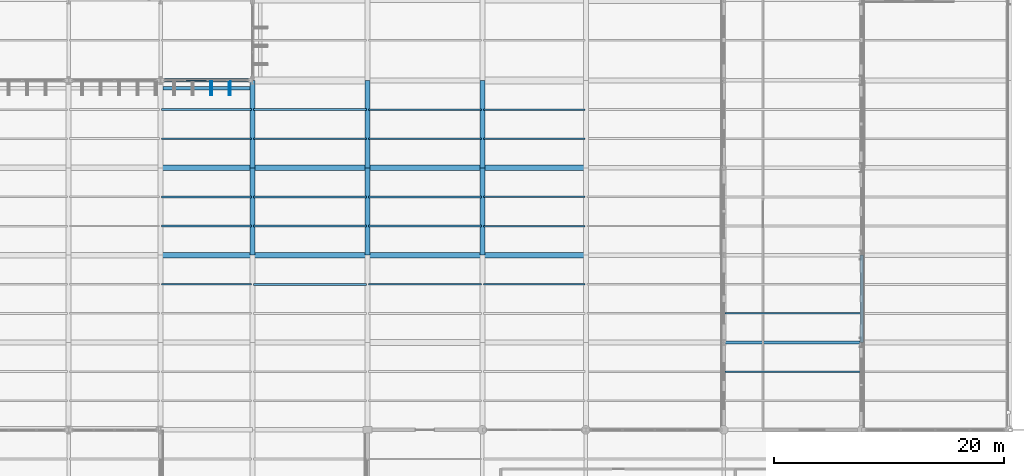
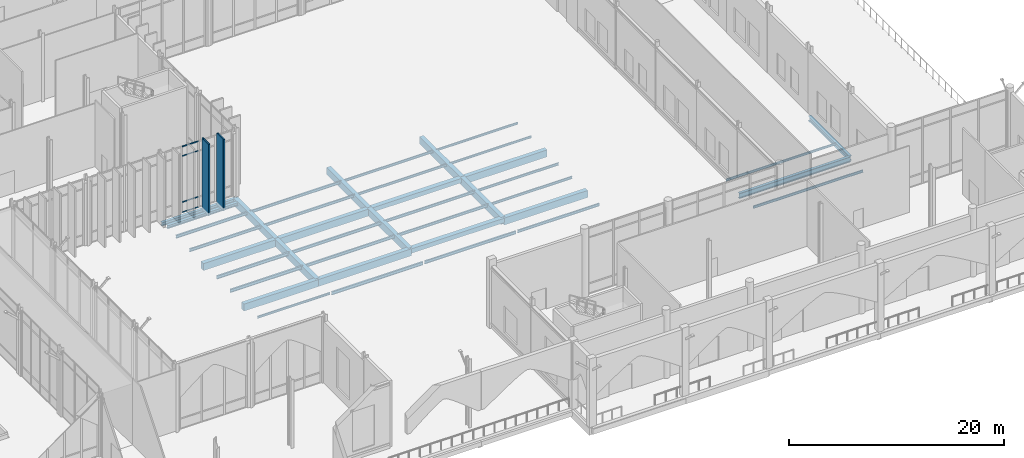
# One storey, part 86 of 176: 40 beams, 6 members, 1 element without a shape of its own.
"""IFC4 building model written with IfcOpenShell, lengths in metres."""

from ifc_helpers import new_model, si_unit, direction, frame, origin, origin_2d, place, context, subcontext, project, spatial, rectangle, hollow_rectangle, i_section, extrude, material, layer, layer_set, material_profile, profile_set, type_object, element, aggregate, save


model = new_model("IFC4")

# Units and contexts
model_context = context("Model", 3, precision=1e-05, world=origin(), true_north=direction((0.0, 1.0)))
body_context = subcontext(model_context, "Body", "Model", "MODEL_VIEW")
ifc_project = project(units=[si_unit("LENGTHUNIT", "METRE"), si_unit("AREAUNIT", "SQUARE_METRE"), si_unit("VOLUMEUNIT", "CUBIC_METRE"), si_unit("PLANEANGLEUNIT", "RADIAN"), si_unit("MASSUNIT", "GRAM", prefix="KILO")], contexts=[model_context])

# Site, building, storey
site_placement = place(None, origin())
site = spatial("IfcSite", under=ifc_project, at=site_placement, CompositionType="ELEMENT")
building_placement = place(site_placement, origin())
building = spatial("IfcBuilding", under=site, at=building_placement, Name="Vekula Escarpment Museum", CompositionType="ELEMENT")
storey_placement = place(building_placement, origin())
storey = spatial("IfcBuildingStorey", under=building, at=storey_placement, Name="L01", CompositionType="ELEMENT", Elevation=0.0)

# Beams
ifc_material_1 = material(Name="Steel S355", Category="steel")
ifc_material_profile_1 = material_profile(ifc_material_1, i_section(OverallWidth=0.300048828125, OverallDepth=0.360107421875, WebThickness=0.012451171875, FlangeThickness=0.0224609375, FilletRadius=0.027099609375, at=origin_2d()), Name="HEB 360")
ifc_profile_set_1 = profile_set([ifc_material_profile_1], Name="Steel S355")
beam_type_1 = type_object("IfcBeamType", Name="BM-GIRD-HEB360", PredefinedType="BEAM", material=ifc_profile_set_1)
beam_1_placement = place(storey_placement, frame((118.22509765625, 44.919921875, -0.47998046875), z_axis=(1.0, 0.0, 0.0), x_axis=(0.0, 1.0, 0.0)))
element("IfcBeam", 1, at=beam_1_placement, inside=storey, type_object=beam_type_1, Name="Solar Fin Sill Girder 007", PredefinedType="BEAM", context=body_context, shape_type="SweptSolid", body=[
    extrude(i_section(OverallWidth=0.300048828125, OverallDepth=0.360107421875, WebThickness=0.012451171875, FlangeThickness=0.0224609375, FilletRadius=0.027099609375, at=origin_2d()), origin(), (0.0, 0.0, 1.0), 7.5498046875),
])
ifc_material_2 = material(Name="Steel S355", Category="steel")
ifc_material_profile_2 = material_profile(ifc_material_2, i_section(OverallWidth=0.300048828125, OverallDepth=0.550048828125, WebThickness=0.014892578125, FlangeThickness=0.029052734375, FilletRadius=0.027099609375, at=origin_2d()), Name="HEB 550")
ifc_profile_set_2 = profile_set([ifc_material_profile_2], Name="Steel S355")
beam_type_2 = type_object("IfcBeamType", Name="BM-GIRD-HEB550", PredefinedType="BEAM", material=ifc_profile_set_2)
beam_2_placement = place(storey_placement, frame((179.0, 22.800048828125, -0.574951171875), z_axis=(0.0, 1.0, 0.0), x_axis=(-1.0, 0.0, 0.0)))
element("IfcBeam", 2, at=beam_2_placement, inside=storey, type_object=beam_type_2, Name="Beam Y L01 0747", PredefinedType="BEAM", context=body_context, shape_type="SweptSolid", body=[
    extrude(i_section(OverallWidth=0.300048828125, OverallDepth=0.550048828125, WebThickness=0.014892578125, FlangeThickness=0.029052734375, FilletRadius=0.027099609375, at=origin_2d()), origin(), (0.0, 0.0, 1.0), 7.599853515625),
])
ifc_material_3 = material(Name="Steel S355", Category="steel")
ifc_material_profile_3 = material_profile(ifc_material_3, i_section(OverallWidth=0.300048828125, OverallDepth=0.60009765625, WebThickness=0.015380859375, FlangeThickness=0.030029296875, FilletRadius=0.027099609375, at=origin_2d()), Name="HEB 600")
ifc_profile_set_3 = profile_set([ifc_material_profile_3], Name="Steel S355")
beam_type_3 = type_object("IfcBeamType", Name="BM-GIRD-HEB600", PredefinedType="BEAM", material=ifc_profile_set_3)
beam_3_placement = place(storey_placement, frame((167.0, 22.800048828125, -0.60009765625), z_axis=(1.0, 0.0, 0.0), x_axis=(0.0, 1.0, 0.0)))
element("IfcBeam", 3, at=beam_3_placement, inside=storey, type_object=beam_type_3, Name="Beam X L01 0082", PredefinedType="BEAM", context=body_context, shape_type="SweptSolid", body=[
    extrude(i_section(OverallWidth=0.300048828125, OverallDepth=0.60009765625, WebThickness=0.015380859375, FlangeThickness=0.030029296875, FilletRadius=0.027099609375, at=origin_2d()), origin(), (0.0, 0.0, 1.0), 12.0),
])
ifc_material_4 = material(Name="Steel S355", Category="steel")
ifc_material_profile_4 = material_profile(ifc_material_4, i_section(OverallWidth=0.1201171875, OverallDepth=0.239990234375, WebThickness=0.006103515625, FlangeThickness=0.009765625, FilletRadius=0.014892578125, at=origin_2d()), Name="IPE 240")
ifc_profile_set_4 = profile_set([ifc_material_profile_4], Name="Steel S355")
beam_type_4 = type_object("IfcBeamType", Name="BM-JST-IPE240", PredefinedType="JOIST", material=ifc_profile_set_4)
beam_4_placement = place(storey_placement, frame((118.090087890625, 27.86669921875, -0.419921875), z_axis=(1.0, 0.0, 0.0), x_axis=(0.0, 1.0, 0.0)))
element("IfcBeam", 4, at=beam_4_placement, inside=storey, type_object=beam_type_4, Name="Secondary Joist L01 0389", PredefinedType="JOIST", context=body_context, shape_type="SweptSolid", body=[
    extrude(i_section(OverallWidth=0.1201171875, OverallDepth=0.239990234375, WebThickness=0.006103515625, FlangeThickness=0.009765625, FilletRadius=0.014892578125, at=origin_2d()), origin(), (0.0, 0.0, 1.0), 7.81982421875),
])
for number, where, z_axis, x_axis, name in (
    (5, (146.090087890625, 40.533203125, -0.419921875), (1.0, 0.0, 0.0), (0.0, 1.0, 0.0), "Secondary Joist L01 0485"),
    (6, (146.090087890625, 43.066650390625, -0.419921875), (1.0, 0.0, 0.0), (0.0, 1.0, 0.0), "Secondary Joist L01 0486"),
):
    element("IfcBeam", number, at=place(storey_placement, frame(where, z_axis=z_axis, x_axis=x_axis)), inside=storey, type_object=beam_type_4, Name=name, PredefinedType="JOIST", context=body_context, shape_type="SweptSolid", body=[
        extrude(i_section(OverallWidth=0.1201171875, OverallDepth=0.239990234375, WebThickness=0.006103515625, FlangeThickness=0.009765625, FilletRadius=0.014892578125, at=origin_2d()), origin(), (0.0, 0.0, 1.0), 8.81982421875),
    ])
beam_5_placement = place(storey_placement, frame((167.090087890625, 25.333251953125, -0.419921875), z_axis=(1.0, 0.0, 0.0), x_axis=(0.0, 1.0, 0.0)))
element("IfcBeam", 7, at=beam_5_placement, inside=storey, type_object=beam_type_4, Name="Secondary Joist L01 0545", PredefinedType="JOIST", context=body_context, shape_type="SweptSolid", body=[
    extrude(i_section(OverallWidth=0.1201171875, OverallDepth=0.239990234375, WebThickness=0.006103515625, FlangeThickness=0.009765625, FilletRadius=0.014892578125, at=origin_2d()), origin(), (0.0, 0.0, 1.0), 11.81982421875),
])
ifc_material_5 = material(Name="Steel S355", Category="steel")
ifc_material_profile_5 = material_profile(ifc_material_5, i_section(OverallWidth=0.135009765625, OverallDepth=0.27001953125, WebThickness=0.006591796875, FlangeThickness=0.01025390625, FilletRadius=0.014892578125, at=origin_2d()), Name="IPE 270")
ifc_profile_set_5 = profile_set([ifc_material_profile_5], Name="Steel S355")
beam_type_5 = type_object("IfcBeamType", Name="BM-JST-IPE270", PredefinedType="JOIST", material=ifc_profile_set_5)
for number, where, z_axis, x_axis, name in (
    (8, (136.090087890625, 40.533203125, -0.43505859375), (1.0, 0.0, 0.0), (0.0, 1.0, 0.0), "Secondary Joist L01 0453"),
    (9, (136.090087890625, 43.066650390625, -0.43505859375), (1.0, 0.0, 0.0), (0.0, 1.0, 0.0), "Secondary Joist L01 0454"),
):
    element("IfcBeam", number, at=place(storey_placement, frame(where, z_axis=z_axis, x_axis=x_axis)), inside=storey, type_object=beam_type_5, Name=name, PredefinedType="JOIST", context=body_context, shape_type="SweptSolid", body=[
        extrude(i_section(OverallWidth=0.135009765625, OverallDepth=0.27001953125, WebThickness=0.006591796875, FlangeThickness=0.01025390625, FilletRadius=0.014892578125, at=origin_2d()), origin(), (0.0, 0.0, 1.0), 9.81982421875),
    ])
for number, where, z_axis, x_axis, name in (
    (10, (146.090087890625, 32.933349609375, -0.43505859375), (1.0, 0.0, 0.0), (0.0, 1.0, 0.0), "Secondary Joist L01 0483"),
    (11, (146.090087890625, 35.466796875, -0.43505859375), (1.0, 0.0, 0.0), (0.0, 1.0, 0.0), "Secondary Joist L01 0484"),
):
    element("IfcBeam", number, at=place(storey_placement, frame(where, z_axis=z_axis, x_axis=x_axis)), inside=storey, type_object=beam_type_5, Name=name, PredefinedType="JOIST", context=body_context, shape_type="SweptSolid", body=[
        extrude(i_section(OverallWidth=0.135009765625, OverallDepth=0.27001953125, WebThickness=0.006591796875, FlangeThickness=0.01025390625, FilletRadius=0.014892578125, at=origin_2d()), origin(), (0.0, 0.0, 1.0), 8.81982421875),
    ])
beam_6_placement = place(storey_placement, frame((167.090087890625, 20.2666015625, -0.43505859375), z_axis=(1.0, 0.0, 0.0), x_axis=(0.0, 1.0, 0.0)))
element("IfcBeam", 12, at=beam_6_placement, inside=storey, type_object=beam_type_5, Name="Secondary Joist L01 0544", PredefinedType="JOIST", context=body_context, shape_type="SweptSolid", body=[
    extrude(i_section(OverallWidth=0.135009765625, OverallDepth=0.27001953125, WebThickness=0.006591796875, FlangeThickness=0.01025390625, FilletRadius=0.014892578125, at=origin_2d()), origin(), (0.0, 0.0, 1.0), 11.81982421875),
])
ifc_material_6 = material(Name="Steel S355", Category="steel")
ifc_material_profile_6 = material_profile(ifc_material_6, i_section(OverallWidth=0.14990234375, OverallDepth=0.300048828125, WebThickness=0.007080078125, FlangeThickness=0.0107421875, FilletRadius=0.014892578125, at=origin_2d()), Name="IPE 300")
ifc_profile_set_6 = profile_set([ifc_material_profile_6], Name="Steel S355")
beam_type_6 = type_object("IfcBeamType", Name="BM-JST-IPE300", PredefinedType="JOIST", material=ifc_profile_set_6)
for number, where, z_axis, x_axis, name in (
    (13, (126.090087890625, 40.533203125, -0.449951171875), (1.0, 0.0, 0.0), (0.0, 1.0, 0.0), "Secondary Joist L01 0423"),
    (14, (126.090087890625, 43.066650390625, -0.449951171875), (1.0, 0.0, 0.0), (0.0, 1.0, 0.0), "Secondary Joist L01 0424"),
    (15, (136.090087890625, 32.933349609375, -0.449951171875), (1.0, 0.0, 0.0), (0.0, 1.0, 0.0), "Secondary Joist L01 0451"),
    (16, (136.090087890625, 35.466796875, -0.449951171875), (1.0, 0.0, 0.0), (0.0, 1.0, 0.0), "Secondary Joist L01 0452"),
):
    element("IfcBeam", number, at=place(storey_placement, frame(where, z_axis=z_axis, x_axis=x_axis)), inside=storey, type_object=beam_type_6, Name=name, PredefinedType="JOIST", context=body_context, shape_type="SweptSolid", body=[
        extrude(i_section(OverallWidth=0.14990234375, OverallDepth=0.300048828125, WebThickness=0.007080078125, FlangeThickness=0.0107421875, FilletRadius=0.014892578125, at=origin_2d()), origin(), (0.0, 0.0, 1.0), 9.81982421875),
    ])
beam_7_placement = place(storey_placement, frame((146.090087890625, 27.86669921875, -0.449951171875), z_axis=(1.0, 0.0, 0.0), x_axis=(0.0, 1.0, 0.0)))
element("IfcBeam", 17, at=beam_7_placement, inside=storey, type_object=beam_type_6, Name="Secondary Joist L01 0482", PredefinedType="JOIST", context=body_context, shape_type="SweptSolid", body=[
    extrude(i_section(OverallWidth=0.14990234375, OverallDepth=0.300048828125, WebThickness=0.007080078125, FlangeThickness=0.0107421875, FilletRadius=0.014892578125, at=origin_2d()), origin(), (0.0, 0.0, 1.0), 8.81982421875),
])
ifc_material_7 = material(Name="Steel S355", Category="steel")
ifc_material_profile_7 = material_profile(ifc_material_7, i_section(OverallWidth=0.159912109375, OverallDepth=0.330078125, WebThickness=0.007568359375, FlangeThickness=0.011474609375, FilletRadius=0.01806640625, at=origin_2d()), Name="IPE 330")
ifc_profile_set_7 = profile_set([ifc_material_profile_7], Name="Steel S355")
beam_type_7 = type_object("IfcBeamType", Name="BM-JST-IPE330", PredefinedType="JOIST", material=ifc_profile_set_7)
for number, where, z_axis, x_axis, name in (
    (18, (118.090087890625, 40.533203125, -0.465087890625), (1.0, 0.0, 0.0), (0.0, 1.0, 0.0), "Secondary Joist L01 0392"),
    (19, (118.090087890625, 43.066650390625, -0.465087890625), (1.0, 0.0, 0.0), (0.0, 1.0, 0.0), "Secondary Joist L01 0393"),
):
    element("IfcBeam", number, at=place(storey_placement, frame(where, z_axis=z_axis, x_axis=x_axis)), inside=storey, type_object=beam_type_7, Name=name, PredefinedType="JOIST", context=body_context, shape_type="SweptSolid", body=[
        extrude(i_section(OverallWidth=0.159912109375, OverallDepth=0.330078125, WebThickness=0.007568359375, FlangeThickness=0.011474609375, FilletRadius=0.01806640625, at=origin_2d()), origin(), (0.0, 0.0, 1.0), 7.81982421875),
    ])
for number, where, z_axis, x_axis, name in (
    (20, (126.090087890625, 32.933349609375, -0.465087890625), (1.0, 0.0, 0.0), (0.0, 1.0, 0.0), "Secondary Joist L01 0421"),
    (21, (126.090087890625, 35.466796875, -0.465087890625), (1.0, 0.0, 0.0), (0.0, 1.0, 0.0), "Secondary Joist L01 0422"),
    (22, (136.090087890625, 27.86669921875, -0.465087890625), (1.0, 0.0, 0.0), (0.0, 1.0, 0.0), "Secondary Joist L01 0450"),
):
    element("IfcBeam", number, at=place(storey_placement, frame(where, z_axis=z_axis, x_axis=x_axis)), inside=storey, type_object=beam_type_7, Name=name, PredefinedType="JOIST", context=body_context, shape_type="SweptSolid", body=[
        extrude(i_section(OverallWidth=0.159912109375, OverallDepth=0.330078125, WebThickness=0.007568359375, FlangeThickness=0.011474609375, FilletRadius=0.01806640625, at=origin_2d()), origin(), (0.0, 0.0, 1.0), 9.81982421875),
    ])
ifc_material_8 = material(Name="Steel S355", Category="steel")
ifc_material_profile_8 = material_profile(ifc_material_8, i_section(OverallWidth=0.169921875, OverallDepth=0.360107421875, WebThickness=0.008056640625, FlangeThickness=0.0126953125, FilletRadius=0.01806640625, at=origin_2d()), Name="IPE 360")
ifc_profile_set_8 = profile_set([ifc_material_profile_8], Name="Steel S355")
beam_type_8 = type_object("IfcBeamType", Name="BM-JST-IPE360", PredefinedType="JOIST", material=ifc_profile_set_8)
for number, where, z_axis, x_axis, name in (
    (23, (118.090087890625, 32.933349609375, -0.47998046875), (1.0, 0.0, 0.0), (0.0, 1.0, 0.0), "Secondary Joist L01 0390"),
    (24, (118.090087890625, 35.466796875, -0.47998046875), (1.0, 0.0, 0.0), (0.0, 1.0, 0.0), "Secondary Joist L01 0391"),
):
    element("IfcBeam", number, at=place(storey_placement, frame(where, z_axis=z_axis, x_axis=x_axis)), inside=storey, type_object=beam_type_8, Name=name, PredefinedType="JOIST", context=body_context, shape_type="SweptSolid", body=[
        extrude(i_section(OverallWidth=0.169921875, OverallDepth=0.360107421875, WebThickness=0.008056640625, FlangeThickness=0.0126953125, FilletRadius=0.01806640625, at=origin_2d()), origin(), (0.0, 0.0, 1.0), 7.81982421875),
    ])
beam_8_placement = place(storey_placement, frame((126.090087890625, 27.86669921875, -0.47998046875), z_axis=(1.0, 0.0, 0.0), x_axis=(0.0, 1.0, 0.0)))
element("IfcBeam", 25, at=beam_8_placement, inside=storey, type_object=beam_type_8, Name="Secondary Joist L01 0420", PredefinedType="JOIST", context=body_context, shape_type="SweptSolid", body=[
    extrude(i_section(OverallWidth=0.169921875, OverallDepth=0.360107421875, WebThickness=0.008056640625, FlangeThickness=0.0126953125, FilletRadius=0.01806640625, at=origin_2d()), origin(), (0.0, 0.0, 1.0), 9.81982421875),
])
ifc_material_9 = material(Name="Concrete C35/45", Category="concrete")
ifc_material_profile_9 = material_profile(ifc_material_9, rectangle(XDim=0.449951171875, YDim=0.800048828125, at=origin_2d()), Name="RC 450x800")
ifc_profile_set_9 = profile_set([ifc_material_profile_9], Name="Concrete C35/45")
beam_type_9 = type_object("IfcBeamType", Name="BM-PLINTH-RC", PredefinedType="BEAM", material=ifc_profile_set_9)
beam_9_placement = place(storey_placement, frame((118.0, 30.39990234375, -0.699951171875), z_axis=(1.0, 0.0, 0.0), x_axis=(0.0, 1.0, 0.0)))
element("IfcBeam", 26, at=beam_9_placement, inside=storey, type_object=beam_type_9, Name="Beam X L01 0093", PredefinedType="BEAM", context=body_context, shape_type="SweptSolid", body=[
    extrude(rectangle(XDim=0.449951171875, YDim=0.800048828125, at=origin_2d()), origin(), (0.0, 0.0, 1.0), 8.0),
])
beam_10_placement = place(storey_placement, frame((126.0, 30.39990234375, -0.699951171875), z_axis=(1.0, 0.0, 0.0), x_axis=(0.0, 1.0, 0.0)))
element("IfcBeam", 27, at=beam_10_placement, inside=storey, type_object=beam_type_9, Name="Beam X L01 0094", PredefinedType="BEAM", context=body_context, shape_type="SweptSolid", body=[
    extrude(rectangle(XDim=0.449951171875, YDim=0.800048828125, at=origin_2d()), origin(), (0.0, 0.0, 1.0), 10.0),
])
beam_11_placement = place(storey_placement, frame((146.0, 30.39990234375, -0.699951171875), z_axis=(1.0, 0.0, 0.0), x_axis=(0.0, 1.0, 0.0)))
element("IfcBeam", 28, at=beam_11_placement, inside=storey, type_object=beam_type_9, Name="Beam X L01 0096", PredefinedType="BEAM", context=body_context, shape_type="SweptSolid", body=[
    extrude(rectangle(XDim=0.449951171875, YDim=0.800048828125, at=origin_2d()), origin(), (0.0, 0.0, 1.0), 9.0),
])
beam_12_placement = place(storey_placement, frame((118.0, 38.0, -0.699951171875), z_axis=(1.0, 0.0, 0.0), x_axis=(0.0, 1.0, 0.0)))
element("IfcBeam", 29, at=beam_12_placement, inside=storey, type_object=beam_type_9, Name="Beam X L01 0112", PredefinedType="BEAM", context=body_context, shape_type="SweptSolid", body=[
    extrude(rectangle(XDim=0.449951171875, YDim=0.800048828125, at=origin_2d()), origin(), (0.0, 0.0, 1.0), 8.0),
])
beam_13_placement = place(storey_placement, frame((126.0, 38.0, -0.699951171875), z_axis=(1.0, 0.0, 0.0), x_axis=(0.0, 1.0, 0.0)))
element("IfcBeam", 30, at=beam_13_placement, inside=storey, type_object=beam_type_9, Name="Beam X L01 0113", PredefinedType="BEAM", context=body_context, shape_type="SweptSolid", body=[
    extrude(rectangle(XDim=0.449951171875, YDim=0.800048828125, at=origin_2d()), origin(), (0.0, 0.0, 1.0), 10.0),
])
beam_14_placement = place(storey_placement, frame((146.0, 38.0, -0.699951171875), z_axis=(1.0, 0.0, 0.0), x_axis=(0.0, 1.0, 0.0)))
element("IfcBeam", 31, at=beam_14_placement, inside=storey, type_object=beam_type_9, Name="Beam X L01 0115", PredefinedType="BEAM", context=body_context, shape_type="SweptSolid", body=[
    extrude(rectangle(XDim=0.449951171875, YDim=0.800048828125, at=origin_2d()), origin(), (0.0, 0.0, 1.0), 9.0),
])
for number, where, z_axis, x_axis, name in (
    (32, (126.0, 30.39990234375, -0.699951171875), (0.0, 1.0, 0.0), (-1.0, 0.0, 0.0), "Beam Y L01 0653"),
    (33, (126.0, 38.0, -0.699951171875), (0.0, 1.0, 0.0), (-1.0, 0.0, 0.0), "Beam Y L01 0654"),
    (34, (136.0, 30.39990234375, -0.699951171875), (0.0, 1.0, 0.0), (-1.0, 0.0, 0.0), "Beam Y L01 0672"),
    (35, (136.0, 38.0, -0.699951171875), (0.0, 1.0, 0.0), (-1.0, 0.0, 0.0), "Beam Y L01 0673"),
    (36, (146.0, 30.39990234375, -0.699951171875), (0.0, 1.0, 0.0), (-1.0, 0.0, 0.0), "Beam Y L01 0691"),
    (37, (146.0, 38.0, -0.699951171875), (0.0, 1.0, 0.0), (-1.0, 0.0, 0.0), "Beam Y L01 0692"),
):
    element("IfcBeam", number, at=place(storey_placement, frame(where, z_axis=z_axis, x_axis=x_axis)), inside=storey, type_object=beam_type_9, Name=name, PredefinedType="BEAM", context=body_context, shape_type="SweptSolid", body=[
        extrude(rectangle(XDim=0.449951171875, YDim=0.800048828125, at=origin_2d()), origin(), (0.0, 0.0, 1.0), 7.60009765625),
    ])
ifc_material_10 = material(Name="Concrete C35/45", Category="concrete")
ifc_material_profile_10 = material_profile(ifc_material_10, rectangle(XDim=0.5, YDim=0.5, at=origin_2d()), Name="RC 500x500")
ifc_profile_set_10 = profile_set([ifc_material_profile_10], Name="Concrete C35/45")
beam_type_10 = type_object("IfcBeamType", Name="BM-PLINTH-RC3", PredefinedType="BEAM", material=ifc_profile_set_10)
for number, where, z_axis, x_axis, name in (
    (38, (136.0, 30.39990234375, -0.550048828125), (1.0, 0.0, 0.0), (0.0, 1.0, 0.0), "Beam X L01 0095"),
    (39, (136.0, 38.0, -0.550048828125), (1.0, 0.0, 0.0), (0.0, 1.0, 0.0), "Beam X L01 0114"),
):
    element("IfcBeam", number, at=place(storey_placement, frame(where, z_axis=z_axis, x_axis=x_axis)), inside=storey, type_object=beam_type_10, Name=name, PredefinedType="BEAM", context=body_context, shape_type="SweptSolid", body=[
        extrude(rectangle(XDim=0.5, YDim=0.5, at=origin_2d()), origin(), (0.0, 0.0, 1.0), 10.0),
    ])
ifc_material_11 = material(Name="Steel S355", Category="steel")
ifc_material_profile_11 = material_profile(ifc_material_11, i_section(OverallWidth=0.300048828125, OverallDepth=0.389892578125, WebThickness=0.010986328125, FlangeThickness=0.01904296875, FilletRadius=0.027099609375, at=origin_2d()), Name="HEA 400")
ifc_profile_set_11 = profile_set([ifc_material_profile_11], Name="Steel S355")
beam_type_11 = type_object("IfcBeamType", Name="BM-SPAN-HEA400", PredefinedType="SPANDREL", material=ifc_profile_set_11)
beam_15_placement = place(storey_placement, frame((118.0, 45.60009765625, -0.4951171875), z_axis=(1.0, 0.0, 0.0), x_axis=(0.0, 1.0, 0.0)))
element("IfcBeam", 40, at=beam_15_placement, inside=storey, type_object=beam_type_11, Name="Beam X L01 0131", PredefinedType="SPANDREL", context=body_context, shape_type="SweptSolid", body=[
    extrude(i_section(OverallWidth=0.300048828125, OverallDepth=0.389892578125, WebThickness=0.010986328125, FlangeThickness=0.01904296875, FilletRadius=0.027099609375, at=origin_2d()), origin(), (0.0, 0.0, 1.0), 8.0),
])

# Curtain wall, members
ifc_material_12 = material(Name="Aluminium thermally broken framing", Category="aluminium")
ifc_layer = layer(ifc_material_12, 0.14990234375)
ifc_layer_set = layer_set([ifc_layer], Name="Aluminium thermally broken framing")
curtain_wall_type = type_object("IfcCurtainWallType", Name="CW-SYS-09", PredefinedType="NOTDEFINED", material=ifc_layer_set)
curtain_wall_placement = place(storey_placement, origin())
curtain_wall = element("IfcCurtainWall", 41, at=curtain_wall_placement, inside=storey, type_object=curtain_wall_type, Name="Curtain Wall CW-L01-009", PredefinedType="NOTDEFINED")
ifc_material_13 = material(Name="Aluminium anodized transom", Category="aluminium")
ifc_material_profile_12 = material_profile(ifc_material_13, hollow_rectangle(XDim=0.06494140625, YDim=0.139892578125, WallThickness=0.00390625, InnerFilletRadius=0.00390625, OuterFilletRadius=0.008056640625, at=origin_2d()), Name="ALU 140x65x4")
ifc_profile_set_12 = profile_set([ifc_material_profile_12], Name="Aluminium anodized transom")
member_type_1 = type_object("IfcMemberType", Name="CW-TRN-140", PredefinedType="USERDEFINED", material=ifc_profile_set_12)
member_1_placement = place(storey_placement, frame((120.21240234375, 45.60009765625, 0.032470703125), z_axis=(1.0, 0.0, 0.0), x_axis=(0.0, 1.0, 0.0)))
member_1 = element("IfcMember", 42, at=member_1_placement, type_object=member_type_1, Name="CW-09 transom 2.1", ObjectType="TRANSOM", PredefinedType="USERDEFINED", context=body_context, shape_type="SweptSolid", body=[
    extrude(hollow_rectangle(XDim=0.06494140625, YDim=0.139892578125, WallThickness=0.00390625, InnerFilletRadius=0.00390625, OuterFilletRadius=0.008056640625, at=origin_2d()), origin(), (0.0, 0.0, 1.0), 1.755126953125),
])
member_2_placement = place(storey_placement, frame((120.21240234375, 45.60009765625, 1.199951171875), z_axis=(1.0, 0.0, 0.0), x_axis=(0.0, 1.0, 0.0)))
member_2 = element("IfcMember", 43, at=member_2_placement, type_object=member_type_1, Name="CW-09 transom 2.2", ObjectType="TRANSOM", PredefinedType="USERDEFINED", context=body_context, shape_type="SweptSolid", body=[
    extrude(hollow_rectangle(XDim=0.06494140625, YDim=0.139892578125, WallThickness=0.00390625, InnerFilletRadius=0.00390625, OuterFilletRadius=0.008056640625, at=origin_2d()), origin(), (0.0, 0.0, 1.0), 1.755126953125),
])
member_3_placement = place(storey_placement, frame((120.21240234375, 45.60009765625, 6.43994140625), z_axis=(1.0, 0.0, 0.0), x_axis=(0.0, 1.0, 0.0)))
member_3 = element("IfcMember", 44, at=member_3_placement, type_object=member_type_1, Name="CW-09 transom 2.3", ObjectType="TRANSOM", PredefinedType="USERDEFINED", context=body_context, shape_type="SweptSolid", body=[
    extrude(hollow_rectangle(XDim=0.06494140625, YDim=0.139892578125, WallThickness=0.00390625, InnerFilletRadius=0.00390625, OuterFilletRadius=0.008056640625, at=origin_2d()), origin(), (0.0, 0.0, 1.0), 1.755126953125),
])
member_4_placement = place(storey_placement, frame((120.21240234375, 45.60009765625, 7.507568359375), z_axis=(1.0, 0.0, 0.0), x_axis=(0.0, 1.0, 0.0)))
member_4 = element("IfcMember", 45, at=member_4_placement, type_object=member_type_1, Name="CW-09 transom 2.4", ObjectType="TRANSOM", PredefinedType="USERDEFINED", context=body_context, shape_type="SweptSolid", body=[
    extrude(hollow_rectangle(XDim=0.06494140625, YDim=0.139892578125, WallThickness=0.00390625, InnerFilletRadius=0.00390625, OuterFilletRadius=0.008056640625, at=origin_2d()), origin(), (0.0, 0.0, 1.0), 1.755126953125),
])
aggregate(curtain_wall, [member_1, member_2, member_3, member_4])

# Members
ifc_material_14 = material(Name="Steel S355 weathered bronze solar fin", Category="steel")
ifc_material_profile_13 = material_profile(ifc_material_14, hollow_rectangle(XDim=0.179931640625, YDim=1.25, WallThickness=0.010009765625, InnerFilletRadius=0.010009765625, OuterFilletRadius=0.02001953125, at=origin_2d()), Name="RHS 1250x180x10")
ifc_profile_set_13 = profile_set([ifc_material_profile_13], Name="Steel S355 weathered bronze solar fin")
member_type_2 = type_object("IfcMemberType", Name="MB-SOLAR-FIN", PredefinedType="USERDEFINED", material=ifc_profile_set_13)
for number, where, z_axis, x_axis, name in (
    (46, (122.39990234375, 44.919921875, -0.320068359375), (0.0, 0.0, 1.0), (1.0, 0.0, 0.0), "Great Hall Vertical Solar Fin 0121"),
    (47, (124.0, 44.919921875, -0.320068359375), (0.0, 0.0, 1.0), (1.0, 0.0, 0.0), "Great Hall Vertical Solar Fin 0126"),
):
    element("IfcMember", number, at=place(storey_placement, frame(where, z_axis=z_axis, x_axis=x_axis)), inside=storey, type_object=member_type_2, Name=name, ObjectType="SOLAR FIN", PredefinedType="USERDEFINED", context=body_context, shape_type="SweptSolid", body=[
        extrude(hollow_rectangle(XDim=0.179931640625, YDim=1.25, WallThickness=0.010009765625, InnerFilletRadius=0.010009765625, OuterFilletRadius=0.02001953125, at=origin_2d()), origin(), (0.0, 0.0, 1.0), 8.1201171875),
    ])

save(model, "model.ifc")
